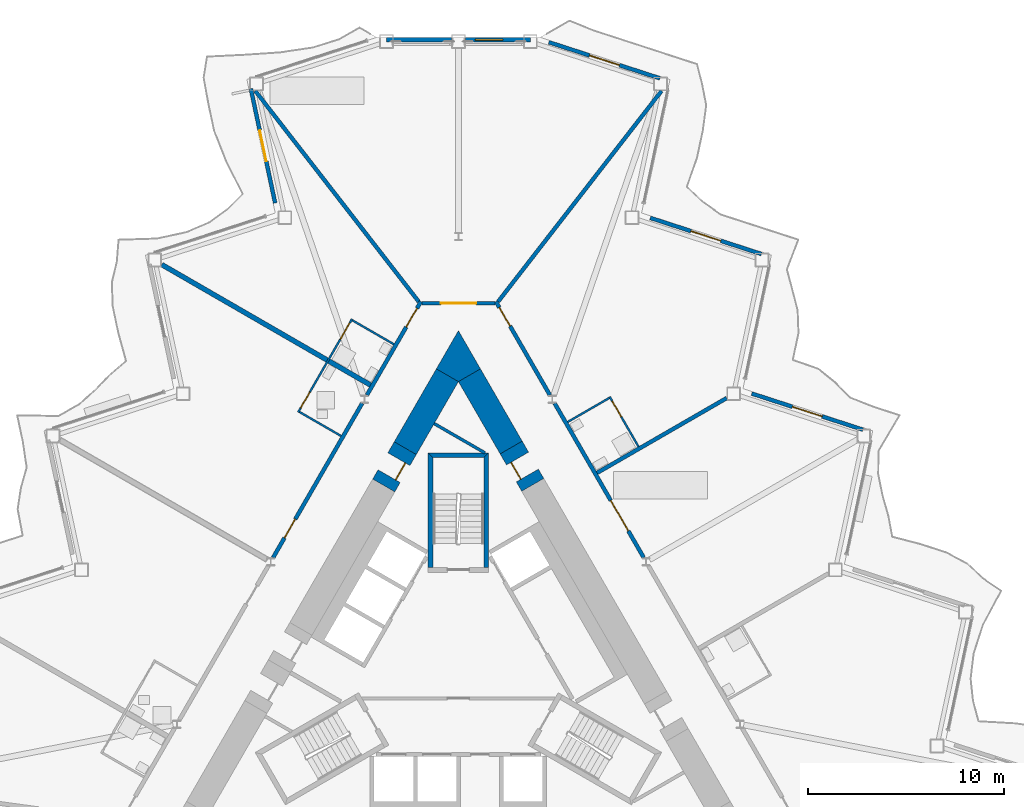
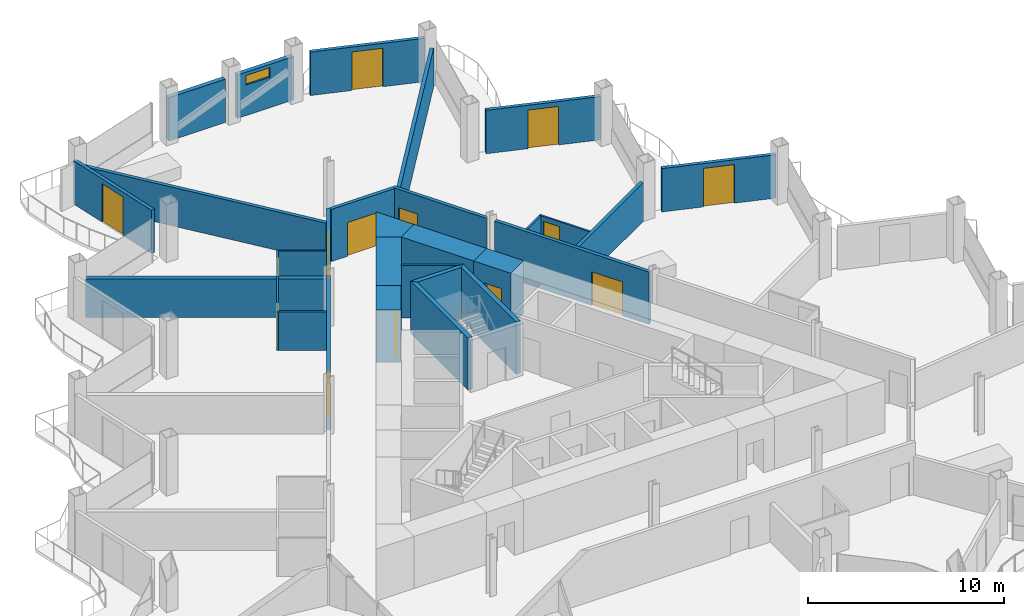
# One storey, part 14 of 23: 29 walls, 14 doors, 1 window, 15 openings.
"""IFC4 building model written with IfcOpenShell, lengths in metres."""

from ifc_helpers import new_model, si_unit, direction, frame, frame_2d, origin, place, context, subcontext, project, spatial, polyline, rectangle, outline, extrude, material, layer, layer_set, type_object, element, fill, save


model = new_model("IFC4")

# Units and contexts
model_context = context("Model", 3, precision=1e-05, world=origin(), true_north=direction((0.0, 1.0)))
body_context = subcontext(model_context, "Body", "Model", "MODEL_VIEW")
ifc_project = project(units=[si_unit("LENGTHUNIT", "METRE"), si_unit("AREAUNIT", "SQUARE_METRE"), si_unit("VOLUMEUNIT", "CUBIC_METRE"), si_unit("PLANEANGLEUNIT", "RADIAN"), si_unit("MASSUNIT", "GRAM", prefix="KILO")], contexts=[model_context])

# Site, building, storey
site_placement = place(None, origin())
site = spatial("IfcSite", under=ifc_project, at=site_placement, CompositionType="ELEMENT")
building_placement = place(site_placement, origin())
building = spatial("IfcBuilding", under=site, at=building_placement, Name="Cormorant Prow Tower", CompositionType="ELEMENT")
storey_placement = place(building_placement, frame((0.0, 0.0, 245.39990234375)))
storey = spatial("IfcBuildingStorey", under=building, at=storey_placement, Name="L54", CompositionType="ELEMENT", Elevation=245.39990234375)

# Walls
ifc_material_1 = material(Name="Gypsum board partition")
ifc_layer_1 = layer(ifc_material_1, 0.14990234375)
ifc_layer_set_1 = layer_set([ifc_layer_1], Name="Gypsum board partition")
wall_type_1 = type_object("IfcWallType", Name="Core partition 150", PredefinedType="PARTITIONING", material=ifc_layer_set_1)
wall_1_placement = place(storey_placement, frame((-1.237060546875, 12.577880859375, 0.0), z_axis=(0.0, 0.0, 1.0), x_axis=(0.866045649925, -0.499964931016, 0.0)))
element("IfcWall", 1, at=wall_1_placement, inside=storey, type_object=wall_type_1, Name="Service room partition", PredefinedType="PARTITIONING", context=body_context, shape_type="SweptSolid", body=[
    extrude(rectangle(XDim=2.992431640625, YDim=0.14990234375, at=frame_2d((1.49609375, 0.0))), origin(), (0.0, 0.0, 1.0), 3.25),
])
ifc_material_2 = material(Name="Concrete 8000 psi", Category="concrete")
ifc_layer_2 = layer(ifc_material_2, 1.300048828125)
ifc_layer_set_2 = layer_set([ifc_layer_2], Name="Concrete 8000 psi")
wall_type_2 = type_object("IfcWallType", Name="Core shear wall 1300", PredefinedType="SHEAR", material=ifc_layer_set_2)
wall_2_placement = place(storey_placement, frame((2.693115234375, 11.356201171875, 0.0), z_axis=(0.0, 0.0, 1.0), x_axis=(-0.50002837164, 0.866009022791, 0.0)))
element("IfcWall", 2, at=wall_2_placement, inside=storey, type_object=wall_type_2, Name="Core wall", PredefinedType="SHEAR", context=body_context, shape_type="SweptSolid", body=[
    extrude(rectangle(XDim=4.260009765625, YDim=1.300048828125, at=frame_2d((2.1298828125, 0.0))), origin(), (0.0, 0.0, 1.0), 3.25),
])
wall_3_placement = place(storey_placement, frame((-0.56298828125, 15.04541015625, 0.0), z_axis=(0.0, 0.0, 1.0), x_axis=(-0.499994567278, -0.866028540345, 0.0)))
element("IfcWall", 3, at=wall_3_placement, inside=storey, type_object=wall_type_2, Name="Core wall", PredefinedType="SHEAR", context=body_context, shape_type="SweptSolid", body=[
    extrude(rectangle(XDim=4.29736328125, YDim=1.300048828125, at=frame_2d((2.148681640625, 0.0))), origin(), (0.0, 0.0, 1.0), 3.25),
])
wall_4_placement = place(storey_placement, origin())
element("IfcWall", 4, at=wall_4_placement, inside=storey, type_object=wall_type_2, Name="Core wall corner", PredefinedType="SHEAR", context=body_context, shape_type="SweptSolid", body=[
    extrude(outline(polyline([(-1.125732421875, 15.37060546875), (0.0, 17.320556640625), (1.125732421875, 15.37060546875), (0.0, 14.720458984375), (-1.125732421875, 15.37060546875)])), origin(), (0.0, 0.0, 1.0), 3.25),
])

# Wall, opening, door
wall_5_placement = place(storey_placement, frame((-2.7119140625, 11.32373046875, 0.0), z_axis=(0.0, 0.0, 1.0), x_axis=(-0.499946605688, -0.86605622881, 0.0)))
wall_5 = element("IfcWall", 5, at=wall_5_placement, inside=storey, type_object=wall_type_2, Name="Core wall door panel", PredefinedType="SHEAR", context=body_context, shape_type="SweptSolid", body=[
    extrude(rectangle(XDim=2.199951171875, YDim=1.300048828125, at=frame_2d((1.10009765625, 0.0))), origin(), (0.0, 0.0, 1.0), 3.25),
])
opening_1_placement = place(wall_5_placement, frame((0.64990234375, 0.0, 0.0)))
opening_1 = element("IfcOpeningElement", 6, at=opening_1_placement, cuts=wall_5, Name="Opening L54-C17", PredefinedType="OPENING", context=body_context, shape_type="SweptSolid", body=[
    extrude(rectangle(XDim=1.0, YDim=2.10009765625, at=frame_2d((0.5, 1.050048828125))), frame((0.0, 0.659912109375, 0.0), z_axis=(0.0, -1.0, 0.0), x_axis=(1.0, 0.0, 0.0)), (0.0, 0.0, 1.0), 1.320068359375),
])
ifc_material_3 = material(Name="Painted steel", Category="steel")
door_type_1 = type_object("IfcDoorType", Name="Service door 1000x2100", OperationType="NOTDEFINED", PredefinedType="DOOR", material=ifc_material_3)
door_1_placement = place(opening_1_placement, origin())
door_1 = element("IfcDoor", 7, at=door_1_placement, inside=storey, type_object=door_type_1, Name="Core door, Telecom room", OperationType="SINGLE_SWING_LEFT", OverallHeight=2.10009765625, OverallWidth=1.0, PredefinedType="DOOR", context=body_context, shape_type="SweptSolid", body=[
    extrude(rectangle(XDim=1.0, YDim=2.10009765625, at=frame_2d((0.5, 1.050048828125))), frame((0.0, 0.40478515625, 0.0), z_axis=(0.0, -1.0, 0.0), x_axis=(1.0, 0.0, 0.0)), (0.0, 0.0, 1.0), 0.050048828125),
])
fill(opening_1, door_1)

wall_6_placement = place(storey_placement, frame((3.79296875, 9.450927734375, 0.0), z_axis=(0.0, 0.0, 1.0), x_axis=(-0.499946605688, 0.86605622881, 0.0)))
wall_6 = element("IfcWall", 8, at=wall_6_placement, inside=storey, type_object=wall_type_2, Name="Core wall door panel", PredefinedType="SHEAR", context=body_context, shape_type="SweptSolid", body=[
    extrude(rectangle(XDim=2.199951171875, YDim=1.300048828125, at=frame_2d((1.10009765625, 0.0))), origin(), (0.0, 0.0, 1.0), 3.25),
])
opening_2_placement = place(wall_6_placement, frame((0.550048828125, 0.0, 0.0)))
opening_2 = element("IfcOpeningElement", 9, at=opening_2_placement, cuts=wall_6, Name="Opening L54-C18", PredefinedType="OPENING", context=body_context, shape_type="SweptSolid", body=[
    extrude(rectangle(XDim=1.0, YDim=2.10009765625, at=frame_2d((0.5, 1.050048828125))), frame((0.0, 0.659912109375, 0.0), z_axis=(0.0, -1.0, 0.0), x_axis=(1.0, 0.0, 0.0)), (0.0, 0.0, 1.0), 1.320068359375),
])
door_2_placement = place(opening_2_placement, origin())
door_2 = element("IfcDoor", 10, at=door_2_placement, inside=storey, type_object=door_type_1, Name="Core door, Pantry store", OperationType="SINGLE_SWING_RIGHT", OverallHeight=2.10009765625, OverallWidth=1.0, PredefinedType="DOOR", context=body_context, shape_type="SweptSolid", body=[
    extrude(rectangle(XDim=1.0, YDim=2.10009765625, at=frame_2d((0.5, 1.050048828125))), frame((0.0, 0.40478515625, 0.0), z_axis=(0.0, -1.0, 0.0), x_axis=(1.0, 0.0, 0.0)), (0.0, 0.0, 1.0), 0.050048828125),
])
fill(opening_2, door_2)

ifc_material_4 = material(Name="Gypsum board corridor wall")
ifc_layer_3 = layer(ifc_material_4, 0.199951171875)
ifc_layer_set_3 = layer_set([ifc_layer_3], Name="Gypsum board corridor wall")
wall_type_3 = type_object("IfcWallType", Name="Corridor wall 200", PredefinedType="PARTITIONING", material=ifc_layer_set_3)
wall_7_placement = place(storey_placement, frame((4.91015625, 13.61572265625, 0.0), z_axis=(0.0, 0.0, 1.0), x_axis=(0.50000207303, -0.866024206917, 0.0)))
wall_7 = element("IfcWall", 11, at=wall_7_placement, inside=storey, type_object=wall_type_3, Name="Corridor wall", PredefinedType="PARTITIONING", context=body_context, shape_type="SweptSolid", body=[
    extrude(rectangle(XDim=9.0947265625, YDim=0.199951171875, at=frame_2d((4.54736328125, 0.0))), origin(), (0.0, 0.0, 1.0), 3.25),
])
opening_3_placement = place(wall_7_placement, frame((5.726318359375, 0.0, 0.0)))
opening_3 = element("IfcOpeningElement", 12, at=opening_3_placement, cuts=wall_7, Name="Opening L54-F10", PredefinedType="OPENING", context=body_context, shape_type="SweptSolid", body=[
    extrude(rectangle(XDim=1.800048828125, YDim=2.10009765625, at=frame_2d((0.89990234375, 1.050048828125))), frame((0.0, 0.10986328125, 0.0), z_axis=(0.0, -1.0, 0.0), x_axis=(1.0, 0.0, 0.0)), (0.0, 0.0, 1.0), 0.219970703125),
])
ifc_material_5 = material(Name="Timber door leaf", Category="wood")
door_type_2 = type_object("IfcDoorType", Name="Double door 1800x2100", OperationType="DOUBLE_DOOR_SINGLE_SWING", PredefinedType="DOOR", material=ifc_material_5)
door_3_placement = place(opening_3_placement, origin())
door_3 = element("IfcDoor", 13, at=door_3_placement, inside=storey, type_object=door_type_2, Name="Library door", OperationType="DOUBLE_DOOR_SINGLE_SWING", OverallHeight=2.10009765625, OverallWidth=1.800048828125, PredefinedType="DOOR", context=body_context, shape_type="SweptSolid", body=[
    extrude(rectangle(XDim=1.800048828125, YDim=2.10009765625, at=frame_2d((0.89990234375, 1.050048828125))), frame((0.0, 0.02490234375, 0.0), z_axis=(0.0, -1.0, 0.0), x_axis=(1.0, 0.0, 0.0)), (0.0, 0.0, 1.0), 0.050048828125),
])
fill(opening_3, door_3)

wall_8_placement = place(storey_placement, frame((-9.45751953125, 5.739501953125, 0.0), z_axis=(0.0, 0.0, 1.0), x_axis=(0.50000207303, 0.866024206917, 0.0)))
wall_8 = element("IfcWall", 14, at=wall_8_placement, inside=storey, type_object=wall_type_3, Name="Corridor wall", PredefinedType="PARTITIONING", context=body_context, shape_type="SweptSolid", body=[
    extrude(rectangle(XDim=9.0947265625, YDim=0.199951171875, at=frame_2d((4.54736328125, 0.0))), origin(), (0.0, 0.0, 1.0), 3.25),
])
opening_4_placement = place(wall_8_placement, frame((1.16162109375, 0.0, 0.0)))
opening_4 = element("IfcOpeningElement", 15, at=opening_4_placement, cuts=wall_8, Name="Opening L54-F16", PredefinedType="OPENING", context=body_context, shape_type="SweptSolid", body=[
    extrude(rectangle(XDim=1.10009765625, YDim=2.10009765625, at=frame_2d((0.550048828125, 1.050048828125))), frame((0.0, 0.10986328125, 0.0), z_axis=(0.0, -1.0, 0.0), x_axis=(1.0, 0.0, 0.0)), (0.0, 0.0, 1.0), 0.219970703125),
])
ifc_material_6 = material(Name="Timber door leaf", Category="wood")
door_type_3 = type_object("IfcDoorType", Name="Suite entrance door 1100x2100", OperationType="NOTDEFINED", PredefinedType="DOOR", material=ifc_material_6)
door_4_placement = place(opening_4_placement, origin())
door_4 = element("IfcDoor", 16, at=door_4_placement, inside=storey, type_object=door_type_3, Name="Junior suite door", OperationType="SINGLE_SWING_RIGHT", OverallHeight=2.10009765625, OverallWidth=1.10009765625, PredefinedType="DOOR", context=body_context, shape_type="SweptSolid", body=[
    extrude(rectangle(XDim=1.10009765625, YDim=2.10009765625, at=frame_2d((0.550048828125, 1.050048828125))), frame((0.0, 0.02490234375, 0.0), z_axis=(0.0, -1.0, 0.0), x_axis=(1.0, 0.0, 0.0)), (0.0, 0.0, 1.0), 0.050048828125),
])
fill(opening_4, door_4)

wall_9_placement = place(storey_placement, frame((-4.668212890625, 14.034912109375, 0.0), z_axis=(0.0, 0.0, 1.0), x_axis=(0.499984524817, 0.866034338201, 0.0)))
wall_9 = element("IfcWall", 17, at=wall_9_placement, inside=storey, type_object=wall_type_3, Name="Corridor wall", PredefinedType="PARTITIONING", context=body_context, shape_type="SweptSolid", body=[
    extrude(rectangle(XDim=5.510498046875, YDim=0.199951171875, at=frame_2d((2.75537109375, 0.0))), origin(), (0.0, 0.0, 1.0), 3.25),
])
opening_5_placement = place(wall_9_placement, frame((4.009765625, 0.0, 0.0)))
opening_5 = element("IfcOpeningElement", 18, at=opening_5_placement, cuts=wall_9, Name="Opening L54-F14", PredefinedType="OPENING", context=body_context, shape_type="SweptSolid", body=[
    extrude(rectangle(XDim=1.10009765625, YDim=2.10009765625, at=frame_2d((0.550048828125, 1.050048828125))), frame((0.0, 0.10986328125, 0.0), z_axis=(0.0, -1.0, 0.0), x_axis=(1.0, 0.0, 0.0)), (0.0, 0.0, 1.0), 0.219970703125),
])
door_5_placement = place(opening_5_placement, origin())
door_5 = element("IfcDoor", 19, at=door_5_placement, inside=storey, type_object=door_type_3, Name="Junior suite door", OperationType="SINGLE_SWING_RIGHT", OverallHeight=2.10009765625, OverallWidth=1.10009765625, PredefinedType="DOOR", context=body_context, shape_type="SweptSolid", body=[
    extrude(rectangle(XDim=1.10009765625, YDim=2.10009765625, at=frame_2d((0.550048828125, 1.050048828125))), frame((0.0, 0.02490234375, 0.0), z_axis=(0.0, -1.0, 0.0), x_axis=(1.0, 0.0, 0.0)), (0.0, 0.0, 1.0), 0.050048828125),
])
fill(opening_5, door_5)

wall_10_placement = place(storey_placement, frame((1.9130859375, 18.80712890625, 0.0), z_axis=(0.0, 0.0, 1.0), x_axis=(0.499984524817, -0.866034338201, 0.0)))
wall_10 = element("IfcWall", 20, at=wall_10_placement, inside=storey, type_object=wall_type_3, Name="Corridor wall", PredefinedType="PARTITIONING", context=body_context, shape_type="SweptSolid", body=[
    extrude(rectangle(XDim=5.510498046875, YDim=0.199951171875, at=frame_2d((2.75537109375, 0.0))), origin(), (0.0, 0.0, 1.0), 3.25),
])
opening_6_placement = place(wall_10_placement, frame((0.350341796875, 0.0, 0.0)))
opening_6 = element("IfcOpeningElement", 21, at=opening_6_placement, cuts=wall_10, Name="Opening L54-F11", PredefinedType="OPENING", context=body_context, shape_type="SweptSolid", body=[
    extrude(rectangle(XDim=1.10009765625, YDim=2.10009765625, at=frame_2d((0.550048828125, 1.050048828125))), frame((0.0, 0.10986328125, 0.0), z_axis=(0.0, -1.0, 0.0), x_axis=(1.0, 0.0, 0.0)), (0.0, 0.0, 1.0), 0.219970703125),
])
door_6_placement = place(opening_6_placement, origin())
door_6 = element("IfcDoor", 22, at=door_6_placement, inside=storey, type_object=door_type_3, Name="Executive suite bedroom door", OperationType="SINGLE_SWING_LEFT", OverallHeight=2.10009765625, OverallWidth=1.10009765625, PredefinedType="DOOR", context=body_context, shape_type="SweptSolid", body=[
    extrude(rectangle(XDim=1.10009765625, YDim=2.10009765625, at=frame_2d((0.550048828125, 1.050048828125))), frame((0.0, 0.02490234375, 0.0), z_axis=(0.0, -1.0, 0.0), x_axis=(1.0, 0.0, 0.0)), (0.0, 0.0, 1.0), 0.050048828125),
])
fill(opening_6, door_6)

wall_11_placement = place(storey_placement, frame((-1.863037109375, 18.720458984375, 0.0), z_axis=(0.0, 0.0, 1.0), x_axis=(1.0, 0.0, 0.0)))
wall_11 = element("IfcWall", 23, at=wall_11_placement, inside=storey, type_object=wall_type_3, Name="Corridor wall", PredefinedType="PARTITIONING", context=body_context, shape_type="SweptSolid", body=[
    extrude(rectangle(XDim=3.72607421875, YDim=0.199951171875, at=frame_2d((1.863037109375, 0.0))), origin(), (0.0, 0.0, 1.0), 3.25),
])
opening_7_placement = place(wall_11_placement, frame((0.962890625, 0.0, 0.0)))
opening_7 = element("IfcOpeningElement", 24, at=opening_7_placement, cuts=wall_11, Name="Opening L54-F13", PredefinedType="OPENING", context=body_context, shape_type="SweptSolid", body=[
    extrude(rectangle(XDim=1.800048828125, YDim=2.10009765625, at=frame_2d((0.89990234375, 1.050048828125))), frame((0.0, 0.10986328125, 0.0), z_axis=(0.0, -1.0, 0.0), x_axis=(1.0, 0.0, 0.0)), (0.0, 0.0, 1.0), 0.219970703125),
])
door_7_placement = place(opening_7_placement, origin())
door_7 = element("IfcDoor", 25, at=door_7_placement, inside=storey, type_object=door_type_2, Name="Co-working space door", OperationType="DOUBLE_DOOR_SINGLE_SWING", OverallHeight=2.10009765625, OverallWidth=1.800048828125, PredefinedType="DOOR", context=body_context, shape_type="SweptSolid", body=[
    extrude(rectangle(XDim=1.800048828125, YDim=2.10009765625, at=frame_2d((0.89990234375, 1.050048828125))), frame((0.0, 0.02490234375, 0.0), z_axis=(0.0, -1.0, 0.0), x_axis=(1.0, 0.0, 0.0)), (0.0, 0.0, 1.0), 0.050048828125),
])
fill(opening_7, door_7)

# Walls
ifc_material_7 = material(Name="Gypsum board demising wall")
ifc_layer_4 = layer(ifc_material_7, 0.199951171875)
ifc_layer_set_4 = layer_set([ifc_layer_4], Name="Gypsum board demising wall")
wall_type_4 = type_object("IfcWallType", Name="Demising wall 200", PredefinedType="PARTITIONING", material=ifc_layer_set_4)
for number, where, z_axis, x_axis, name in (
    (26, (2.0244140625, 18.799560546875, 0.0), (0.0, 0.0, 1.0), (0.612908308889, 0.790154038713, 0.0), "Demising wall"),
    (27, (-10.367919921875, 29.555908203125, 0.0), (0.0, 0.0, 1.0), (0.612908308889, -0.790154038713, 0.0), "Demising wall"),
):
    element("IfcWall", number, at=place(storey_placement, frame(where, z_axis=z_axis, x_axis=x_axis)), inside=storey, type_object=wall_type_4, Name=name, PredefinedType="PARTITIONING", context=body_context, shape_type="SweptSolid", body=[
        extrude(rectangle(XDim=13.613037109375, YDim=0.199951171875, at=frame_2d((6.806640625, 0.0))), origin(), (0.0, 0.0, 1.0), 2.404296875),
    ])
wall_12_placement = place(storey_placement, frame((7.0771484375, 10.0625, 0.0), z_axis=(0.0, 0.0, 1.0), x_axis=(0.866041764179, 0.499971661894, 0.0)))
element("IfcWall", 28, at=wall_12_placement, inside=storey, type_object=wall_type_4, Name="Demising wall", PredefinedType="PARTITIONING", context=body_context, shape_type="SweptSolid", body=[
    extrude(rectangle(XDim=7.63232421875, YDim=0.199951171875, at=frame_2d((3.816162109375, 0.0))), origin(), (0.0, 0.0, 1.0), 2.404296875),
])

# Wall, openings, doors
ifc_material_8 = material(Name="Gypsum board partition")
ifc_layer_5 = layer(ifc_material_8, 0.10009765625)
ifc_layer_set_5 = layer_set([ifc_layer_5], Name="Gypsum board partition")
wall_type_5 = type_object("IfcWallType", Name="Internal partition 100", PredefinedType="PARTITIONING", material=ifc_layer_set_5)
wall_13_placement = place(storey_placement, frame((-8.179443359375, 13.1533203125, 0.0), z_axis=(0.0, 0.0, 1.0), x_axis=(0.499996545922, 0.866027397988, 0.0)))
wall_13 = element("IfcWall", 29, at=wall_13_placement, inside=storey, type_object=wall_type_5, Name="Internal partition", PredefinedType="PARTITIONING", context=body_context, shape_type="SweptSolid", body=[
    extrude(rectangle(XDim=5.5, YDim=0.10009765625, at=frame_2d((2.75, 0.0))), origin(), (0.0, 0.0, 1.0), 2.404296875),
])
opening_8_placement = place(wall_13_placement, frame((4.300048828125, 0.0, 0.0)))
opening_8 = element("IfcOpeningElement", 30, at=opening_8_placement, cuts=wall_13, Name="Opening L54-F15", PredefinedType="OPENING", context=body_context, shape_type="SweptSolid", body=[
    extrude(rectangle(XDim=0.949951171875, YDim=2.10009765625, at=frame_2d((0.47509765625, 1.050048828125))), frame((0.0, 0.06005859375, 0.0), z_axis=(0.0, -1.0, 0.0), x_axis=(1.0, 0.0, 0.0)), (0.0, 0.0, 1.0), 0.1201171875),
])
opening_9_placement = place(wall_13_placement, frame((0.25, 0.0, 0.0)))
opening_9 = element("IfcOpeningElement", 31, at=opening_9_placement, cuts=wall_13, Name="Opening L54-F17", PredefinedType="OPENING", context=body_context, shape_type="SweptSolid", body=[
    extrude(rectangle(XDim=0.949951171875, YDim=2.10009765625, at=frame_2d((0.47509765625, 1.050048828125))), frame((0.0, 0.06005859375, 0.0), z_axis=(0.0, -1.0, 0.0), x_axis=(1.0, 0.0, 0.0)), (0.0, 0.0, 1.0), 0.1201171875),
])
ifc_material_9 = material(Name="Timber door leaf", Category="wood")
door_type_4 = type_object("IfcDoorType", Name="Bathroom door 950x2100", OperationType="NOTDEFINED", PredefinedType="DOOR", material=ifc_material_9)
door_8_placement = place(opening_8_placement, origin())
door_8 = element("IfcDoor", 32, at=door_8_placement, inside=storey, type_object=door_type_4, Name="Junior suite door", OperationType="SINGLE_SWING_RIGHT", OverallHeight=2.10009765625, OverallWidth=0.949951171875, PredefinedType="DOOR", context=body_context, shape_type="SweptSolid", body=[
    extrude(rectangle(XDim=0.949951171875, YDim=2.10009765625, at=frame_2d((0.47509765625, 1.050048828125))), frame((0.0, 0.02490234375, 0.0), z_axis=(0.0, -1.0, 0.0), x_axis=(1.0, 0.0, 0.0)), (0.0, 0.0, 1.0), 0.050048828125),
])
fill(opening_8, door_8)
door_9_placement = place(opening_9_placement, origin())
door_9 = element("IfcDoor", 33, at=door_9_placement, inside=storey, type_object=door_type_4, Name="Junior suite door", OperationType="SINGLE_SWING_LEFT", OverallHeight=2.10009765625, OverallWidth=0.949951171875, PredefinedType="DOOR", context=body_context, shape_type="SweptSolid", body=[
    extrude(rectangle(XDim=0.949951171875, YDim=2.10009765625, at=frame_2d((0.47509765625, 1.050048828125))), frame((0.0, 0.02490234375, 0.0), z_axis=(0.0, -1.0, 0.0), x_axis=(1.0, 0.0, 0.0)), (0.0, 0.0, 1.0), 0.050048828125),
])
fill(opening_9, door_9)

# Wall, opening, door
wall_14_placement = place(storey_placement, frame((7.71728515625, 13.953857421875, 0.0), z_axis=(0.0, 0.0, 1.0), x_axis=(0.500001826776, -0.866024349092, 0.0)))
wall_14 = element("IfcWall", 34, at=wall_14_placement, inside=storey, type_object=wall_type_5, Name="Internal partition", PredefinedType="PARTITIONING", context=body_context, shape_type="SweptSolid", body=[
    extrude(rectangle(XDim=2.9501953125, YDim=0.10009765625, at=frame_2d((1.47509765625, 0.0))), origin(), (0.0, 0.0, 1.0), 2.404296875),
])
opening_10_placement = place(wall_14_placement, frame((0.25, 0.0, 0.0)))
opening_10 = element("IfcOpeningElement", 35, at=opening_10_placement, cuts=wall_14, Name="Opening L54-F12", PredefinedType="OPENING", context=body_context, shape_type="SweptSolid", body=[
    extrude(rectangle(XDim=0.949951171875, YDim=2.10009765625, at=frame_2d((0.47509765625, 1.050048828125))), frame((0.0, 0.06005859375, 0.0), z_axis=(0.0, -1.0, 0.0), x_axis=(1.0, 0.0, 0.0)), (0.0, 0.0, 1.0), 0.1201171875),
])
door_10_placement = place(opening_10_placement, origin())
door_10 = element("IfcDoor", 36, at=door_10_placement, inside=storey, type_object=door_type_4, Name="Executive suite bedroom door", OperationType="SINGLE_SWING_LEFT", OverallHeight=2.10009765625, OverallWidth=0.949951171875, PredefinedType="DOOR", context=body_context, shape_type="SweptSolid", body=[
    extrude(rectangle(XDim=0.949951171875, YDim=2.10009765625, at=frame_2d((0.47509765625, 1.050048828125))), frame((0.0, 0.02490234375, 0.0), z_axis=(0.0, -1.0, 0.0), x_axis=(1.0, 0.0, 0.0)), (0.0, 0.0, 1.0), 0.050048828125),
])
fill(opening_10, door_10)

# Walls
wall_15_placement = place(storey_placement, frame((-5.4111328125, 17.84814453125, 0.0), z_axis=(0.0, 0.0, 1.0), x_axis=(0.866057815567, -0.499943856944, 0.0)))
element("IfcWall", 37, at=wall_15_placement, inside=storey, type_object=wall_type_5, Name="Internal partition", PredefinedType="PARTITIONING", context=body_context, shape_type="SweptSolid", body=[
    extrude(rectangle(XDim=2.449951171875, YDim=0.10009765625, at=frame_2d((1.22509765625, 0.0))), origin(), (0.0, 0.0, 1.0), 2.404296875),
])
wall_16_placement = place(storey_placement, frame((5.5771484375, 12.660400390625, 0.0), z_axis=(0.0, 0.0, 1.0), x_axis=(0.866014668023, 0.500018594424, 0.0)))
element("IfcWall", 38, at=wall_16_placement, inside=storey, type_object=wall_type_5, Name="Internal partition", PredefinedType="PARTITIONING", context=body_context, shape_type="SweptSolid", body=[
    extrude(rectangle(XDim=2.4501953125, YDim=0.10009765625, at=frame_2d((1.22509765625, 0.0))), origin(), (0.0, 0.0, 1.0), 2.404296875),
])
wall_17_placement = place(storey_placement, frame((-8.111083984375, 13.171630859375, 0.0), z_axis=(0.0, 0.0, 1.0), x_axis=(0.865989751695, -0.500061746146, 0.0)))
element("IfcWall", 39, at=wall_17_placement, inside=storey, type_object=wall_type_5, Name="Internal partition", PredefinedType="PARTITIONING", context=body_context, shape_type="SweptSolid", body=[
    extrude(rectangle(XDim=2.449951171875, YDim=0.10009765625, at=frame_2d((1.22509765625, 0.0))), origin(), (0.0, 0.0, 1.0), 2.404296875),
])
ifc_material_10 = material(Name="Concrete 8000 psi", Category="concrete")
ifc_layer_6 = layer(ifc_material_10, 0.25)
ifc_layer_set_6 = layer_set([ifc_layer_6], Name="Concrete 8000 psi")
wall_type_6 = type_object("IfcWallType", Name="Stair wall 250", PredefinedType="SHEAR", material=ifc_layer_set_6)
wall_18_placement = place(storey_placement, origin())
element("IfcWall", 40, at=wall_18_placement, inside=storey, type_object=wall_type_6, Name="Stair ST3 enclosure wall (flank)", PredefinedType="SHEAR", context=body_context, shape_type="SweptSolid", body=[
    extrude(outline(polyline([(1.5439453125, 5.23681640625), (1.5439453125, 11.0869140625), (1.2939453125, 10.8369140625), (1.2939453125, 5.23681640625), (1.5439453125, 5.23681640625)])), origin(), (0.0, 0.0, 1.0), 3.25),
])
wall_19_placement = place(storey_placement, origin())
element("IfcWall", 41, at=wall_19_placement, inside=storey, type_object=wall_type_6, Name="Stair ST3 enclosure wall (end)", PredefinedType="SHEAR", context=body_context, shape_type="SweptSolid", body=[
    extrude(outline(polyline([(1.5439453125, 11.0869140625), (-1.5439453125, 11.0869140625), (-1.2939453125, 10.8369140625), (1.2939453125, 10.8369140625), (1.5439453125, 11.0869140625)])), origin(), (0.0, 0.0, 1.0), 3.25),
])
wall_20_placement = place(storey_placement, origin())
element("IfcWall", 42, at=wall_20_placement, inside=storey, type_object=wall_type_6, Name="Stair ST3 enclosure wall (flank)", PredefinedType="SHEAR", context=body_context, shape_type="SweptSolid", body=[
    extrude(outline(polyline([(-1.2939453125, 10.8369140625), (-1.5439453125, 11.0869140625), (-1.5439453125, 5.23681640625), (-1.2939453125, 5.23681640625), (-1.2939453125, 10.8369140625)])), origin(), (0.0, 0.0, 1.0), 3.25),
])
ifc_material_11 = material(Name="Acoustic gypsum party wall")
ifc_layer_7 = layer(ifc_material_11, 0.25)
ifc_layer_set_7 = layer_set([ifc_layer_7], Name="Acoustic gypsum party wall")
wall_type_7 = type_object("IfcWallType", Name="Suite party wall 250", PredefinedType="PARTITIONING", material=ifc_layer_set_7)
wall_21_placement = place(storey_placement, frame((-15.138427734375, 20.693115234375, 0.0), z_axis=(0.0, 0.0, 1.0), x_axis=(0.866015637476, -0.500016915361, 0.0)))
element("IfcWall", 43, at=wall_21_placement, inside=storey, type_object=wall_type_7, Name="Suite party wall", PredefinedType="PARTITIONING", context=body_context, shape_type="SweptSolid", body=[
    extrude(rectangle(XDim=12.29638671875, YDim=0.25, at=frame_2d((6.148193359375, 0.0))), origin(), (0.0, 0.0, 1.0), 2.404296875),
])

# Wall, opening, window
ifc_material_12 = material(Name="Terracotta", Category="masonry")
ifc_layer_8 = layer(ifc_material_12, 0.25)
ifc_layer_set_8 = layer_set([ifc_layer_8], Name="Terracotta")
wall_type_8 = type_object("IfcWallType", Name="Terracotta bay wall 250", PredefinedType="SOLIDWALL", material=ifc_layer_set_8)
wall_22_placement = place(storey_placement, frame((3.6708984375, 32.16552734375, 0.0), z_axis=(0.0, 0.0, 1.0), x_axis=(-1.0, 0.0, 0.0)))
wall_22 = element("IfcWall", 44, at=wall_22_placement, inside=storey, type_object=wall_type_8, Name="Terracotta bay wall N00", PredefinedType="SOLIDWALL", context=body_context, shape_type="SweptSolid", body=[
    extrude(rectangle(XDim=3.32080078125, YDim=0.25, at=frame_2d((1.660400390625, 0.0))), origin(), (0.0, 0.0, 1.0), 2.700927734375),
])
opening_11_placement = place(wall_22_placement, frame((1.39990234375, 0.0, 1.89990234375)))
opening_11 = element("IfcOpeningElement", 45, at=opening_11_placement, cuts=wall_22, Name="Opening WN6", PredefinedType="OPENING", context=body_context, shape_type="SweptSolid", body=[
    extrude(rectangle(XDim=1.39990234375, YDim=0.60009765625, at=frame_2d((0.699951171875, 0.300048828125))), frame((0.0, 0.135009765625, 0.0), z_axis=(0.0, -1.0, 0.0), x_axis=(1.0, 0.0, 0.0)), (0.0, 0.0, 1.0), 0.27001953125),
])
ifc_material_13 = material(Name="Aluminium 6063-T6", Category="aluminium")
window_type = type_object("IfcWindowType", Name="Corner bay window 1400x600", PartitioningType="SINGLE_PANEL", PredefinedType="WINDOW", material=ifc_material_13)
window_placement = place(opening_11_placement, origin())
window = element("IfcWindow", 46, at=window_placement, inside=storey, type_object=window_type, Name="Corner bay window N00", OverallHeight=0.60009765625, OverallWidth=1.39990234375, PartitioningType="SINGLE_PANEL", PredefinedType="WINDOW", context=body_context, shape_type="SweptSolid", body=[
    extrude(rectangle(XDim=1.39990234375, YDim=0.60009765625, at=frame_2d((0.699951171875, 0.300048828125))), frame((0.0, 0.030029296875, 0.0), z_axis=(0.0, -1.0, 0.0), x_axis=(1.0, 0.0, 0.0)), (0.0, 0.0, 1.0), 0.06005859375),
])
fill(opening_11, window)

# Wall
wall_23_placement = place(storey_placement, frame((-0.35009765625, 32.16552734375, 0.0), z_axis=(0.0, 0.0, 1.0), x_axis=(-1.0, 0.0, 0.0)))
element("IfcWall", 47, at=wall_23_placement, inside=storey, type_object=wall_type_8, Name="Terracotta bay wall N01", PredefinedType="SOLIDWALL", context=body_context, shape_type="SweptSolid", body=[
    extrude(rectangle(XDim=3.32080078125, YDim=0.25, at=frame_2d((1.660400390625, 0.0))), origin(), (0.0, 0.0, 1.0), 2.700927734375),
])

# Wall, opening, door
ifc_material_14 = material(Name="Terracotta", Category="masonry")
ifc_layer_9 = layer(ifc_material_14, 0.199951171875)
ifc_layer_set_9 = layer_set([ifc_layer_9], Name="Terracotta")
wall_type_9 = type_object("IfcWallType", Name="Terracotta jamb wall 200", PredefinedType="SOLIDWALL", material=ifc_layer_set_9)
wall_24_placement = place(storey_placement, frame((20.6396484375, 12.268798828125, 0.0), z_axis=(0.0, 0.0, 1.0), x_axis=(-0.95104730696, 0.309045336358, 0.0)))
wall_24 = element("IfcWall", 48, at=wall_24_placement, inside=storey, type_object=wall_type_9, Name="Terracotta jamb wall ENE05", PredefinedType="SOLIDWALL", context=body_context, shape_type="SweptSolid", body=[
    extrude(rectangle(XDim=5.962890625, YDim=0.199951171875, at=frame_2d((2.9814453125, 0.0))), origin(), (0.0, 0.0, 1.0), 2.700927734375),
])
opening_12_placement = place(wall_24_placement, frame((2.181396484375, 0.0, 0.0)))
opening_12 = element("IfcOpeningElement", 49, at=opening_12_placement, cuts=wall_24, Name="Opening ED54.08", PredefinedType="OPENING", context=body_context, shape_type="SweptSolid", body=[
    extrude(rectangle(XDim=1.60009765625, YDim=2.39990234375, at=frame_2d((0.800048828125, 1.199951171875))), frame((0.0, 0.10986328125, 0.0), z_axis=(0.0, -1.0, 0.0), x_axis=(1.0, 0.0, 0.0)), (0.0, 0.0, 1.0), 0.219970703125),
])
ifc_material_15 = material(Name="Aluminium 6063-T6", Category="aluminium")
door_type_5 = type_object("IfcDoorType", Name="Balcony door 1600x2400", OperationType="DOUBLE_DOOR_SINGLE_SWING", PredefinedType="DOOR", material=ifc_material_15)
door_11_placement = place(opening_12_placement, origin())
door_11 = element("IfcDoor", 50, at=door_11_placement, inside=storey, type_object=door_type_5, Name="Balcony door ENE05 ED54.08", OperationType="DOUBLE_DOOR_SINGLE_SWING", OverallHeight=2.39990234375, OverallWidth=1.60009765625, PredefinedType="DOOR", context=body_context, shape_type="SweptSolid", body=[
    extrude(rectangle(XDim=1.60009765625, YDim=2.39990234375, at=frame_2d((0.800048828125, 1.199951171875))), frame((0.0, 0.02490234375, 0.0), z_axis=(0.0, -1.0, 0.0), x_axis=(1.0, 0.0, 0.0)), (0.0, 0.0, 1.0), 0.050048828125),
])
fill(opening_12, door_11)

wall_25_placement = place(storey_placement, frame((15.4638671875, 21.2333984375, 0.0), z_axis=(0.0, 0.0, 1.0), x_axis=(-0.951055430656, 0.309020335608, 0.0)))
wall_25 = element("IfcWall", 51, at=wall_25_placement, inside=storey, type_object=wall_type_9, Name="Terracotta jamb wall ENE07", PredefinedType="SOLIDWALL", context=body_context, shape_type="SweptSolid", body=[
    extrude(rectangle(XDim=5.96240234375, YDim=0.199951171875, at=frame_2d((2.981201171875, 0.0))), origin(), (0.0, 0.0, 1.0), 2.700927734375),
])
opening_13_placement = place(wall_25_placement, frame((2.181396484375, 0.0, 0.0)))
opening_13 = element("IfcOpeningElement", 52, at=opening_13_placement, cuts=wall_25, Name="Opening ED54.09", PredefinedType="OPENING", context=body_context, shape_type="SweptSolid", body=[
    extrude(rectangle(XDim=1.60009765625, YDim=2.39990234375, at=frame_2d((0.800048828125, 1.199951171875))), frame((0.0, 0.10986328125, 0.0), z_axis=(0.0, -1.0, 0.0), x_axis=(1.0, 0.0, 0.0)), (0.0, 0.0, 1.0), 0.219970703125),
])
door_12_placement = place(opening_13_placement, origin())
door_12 = element("IfcDoor", 53, at=door_12_placement, inside=storey, type_object=door_type_5, Name="Balcony door ENE07 ED54.09", OperationType="DOUBLE_DOOR_SINGLE_SWING", OverallHeight=2.39990234375, OverallWidth=1.60009765625, PredefinedType="DOOR", context=body_context, shape_type="SweptSolid", body=[
    extrude(rectangle(XDim=1.60009765625, YDim=2.39990234375, at=frame_2d((0.800048828125, 1.199951171875))), frame((0.0, 0.02490234375, 0.0), z_axis=(0.0, -1.0, 0.0), x_axis=(1.0, 0.0, 0.0)), (0.0, 0.0, 1.0), 0.050048828125),
])
fill(opening_13, door_12)

wall_26_placement = place(storey_placement, frame((10.2880859375, 30.197998046875, 0.0), z_axis=(0.0, 0.0, 1.0), x_axis=(-0.951055430656, 0.309020335608, 0.0)))
wall_26 = element("IfcWall", 54, at=wall_26_placement, inside=storey, type_object=wall_type_9, Name="Terracotta jamb wall ENE09", PredefinedType="SOLIDWALL", context=body_context, shape_type="SweptSolid", body=[
    extrude(rectangle(XDim=5.96240234375, YDim=0.199951171875, at=frame_2d((2.981201171875, 0.0))), origin(), (0.0, 0.0, 1.0), 2.700927734375),
])
opening_14_placement = place(wall_26_placement, frame((2.181396484375, 0.0, 0.0)))
opening_14 = element("IfcOpeningElement", 55, at=opening_14_placement, cuts=wall_26, Name="Opening ED54.10", PredefinedType="OPENING", context=body_context, shape_type="SweptSolid", body=[
    extrude(rectangle(XDim=1.60009765625, YDim=2.39990234375, at=frame_2d((0.800048828125, 1.199951171875))), frame((0.0, 0.10986328125, 0.0), z_axis=(0.0, -1.0, 0.0), x_axis=(1.0, 0.0, 0.0)), (0.0, 0.0, 1.0), 0.219970703125),
])
door_13_placement = place(opening_14_placement, origin())
door_13 = element("IfcDoor", 56, at=door_13_placement, inside=storey, type_object=door_type_5, Name="Balcony door ENE09 ED54.10", OperationType="DOUBLE_DOOR_SINGLE_SWING", OverallHeight=2.39990234375, OverallWidth=1.60009765625, PredefinedType="DOOR", context=body_context, shape_type="SweptSolid", body=[
    extrude(rectangle(XDim=1.60009765625, YDim=2.39990234375, at=frame_2d((0.800048828125, 1.199951171875))), frame((0.0, 0.02490234375, 0.0), z_axis=(0.0, -1.0, 0.0), x_axis=(1.0, 0.0, 0.0)), (0.0, 0.0, 1.0), 0.050048828125),
])
fill(opening_14, door_13)

wall_27_placement = place(storey_placement, frame((-10.593505859375, 29.669189453125, 0.0), z_axis=(0.0, 0.0, 1.0), x_axis=(0.207881772083, -0.978153959679, 0.0)))
wall_27 = element("IfcWall", 57, at=wall_27_placement, inside=storey, type_object=wall_type_9, Name="Terracotta jamb wall WNW01", PredefinedType="SOLIDWALL", context=body_context, shape_type="SweptSolid", body=[
    extrude(rectangle(XDim=5.962646484375, YDim=0.199951171875, at=frame_2d((2.9814453125, 0.0))), origin(), (0.0, 0.0, 1.0), 2.700927734375),
])
opening_15_placement = place(wall_27_placement, frame((2.181396484375, 0.0, 0.0)))
opening_15 = element("IfcOpeningElement", 58, at=opening_15_placement, cuts=wall_27, Name="Opening ED54.11", PredefinedType="OPENING", context=body_context, shape_type="SweptSolid", body=[
    extrude(rectangle(XDim=1.60009765625, YDim=2.39990234375, at=frame_2d((0.800048828125, 1.199951171875))), frame((0.0, 0.10986328125, 0.0), z_axis=(0.0, -1.0, 0.0), x_axis=(1.0, 0.0, 0.0)), (0.0, 0.0, 1.0), 0.219970703125),
])
door_14_placement = place(opening_15_placement, origin())
door_14 = element("IfcDoor", 59, at=door_14_placement, inside=storey, type_object=door_type_5, Name="Balcony door WNW01 ED54.11", OperationType="DOUBLE_DOOR_SINGLE_SWING", OverallHeight=2.39990234375, OverallWidth=1.60009765625, PredefinedType="DOOR", context=body_context, shape_type="SweptSolid", body=[
    extrude(rectangle(XDim=1.60009765625, YDim=2.39990234375, at=frame_2d((0.800048828125, 1.199951171875))), frame((0.0, 0.02490234375, 0.0), z_axis=(0.0, -1.0, 0.0), x_axis=(1.0, 0.0, 0.0)), (0.0, 0.0, 1.0), 0.050048828125),
])
fill(opening_15, door_14)

save(model, "model.ifc")
